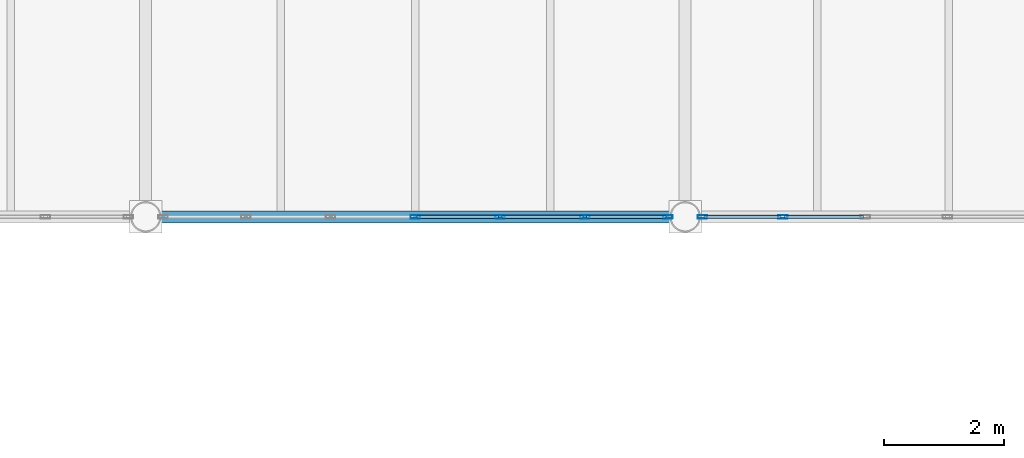
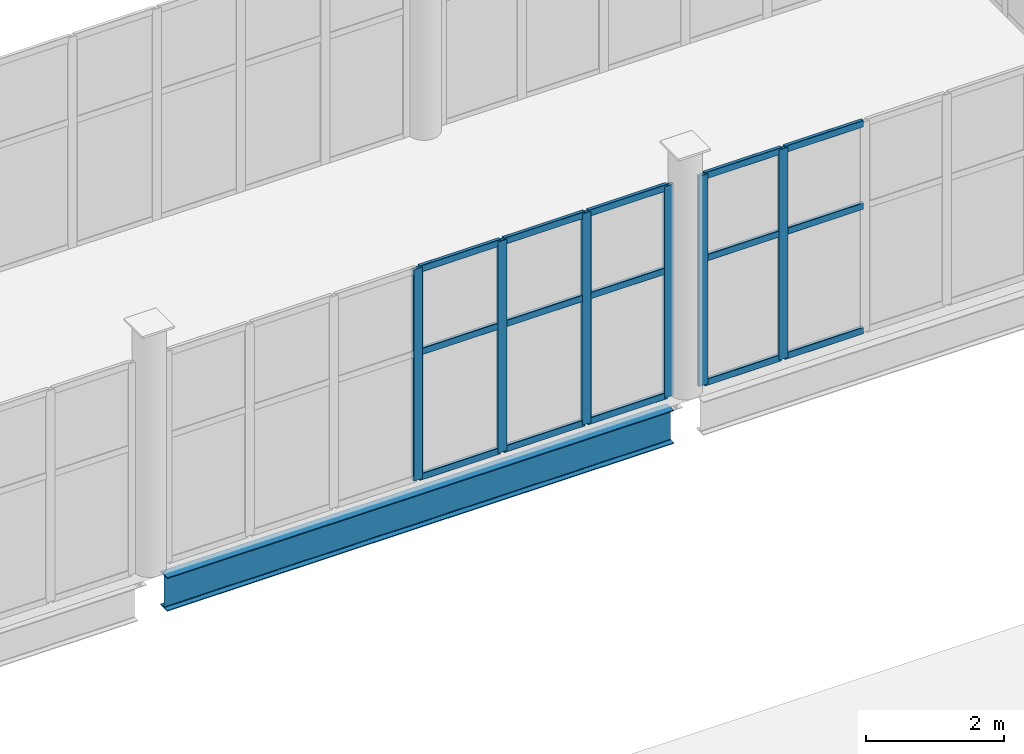
# One storey, part 84 of 136: 21 members, 1 beam, 2 elements without a shape of their own.
"""IFC4 building model written with IfcOpenShell, lengths in metres."""

from ifc_helpers import new_model, si_unit, direction, frame, origin, origin_2d, place, context, subcontext, project, spatial, hollow_rectangle, i_section, extrude, material, material_profile, profile_set, type_object, element, aggregate, save


model = new_model("IFC4")

# Units and contexts
model_context = context("Model", 3, precision=1e-05, world=origin(), true_north=direction((0.0, 1.0)))
body_context = subcontext(model_context, "Body", "Model", "MODEL_VIEW")
ifc_project = project(units=[si_unit("LENGTHUNIT", "METRE"), si_unit("AREAUNIT", "SQUARE_METRE"), si_unit("VOLUMEUNIT", "CUBIC_METRE"), si_unit("PLANEANGLEUNIT", "RADIAN"), si_unit("MASSUNIT", "GRAM", prefix="KILO")], contexts=[model_context])

# Site, building, storey
site_placement = place(None, origin())
site = spatial("IfcSite", under=ifc_project, at=site_placement, CompositionType="ELEMENT")
building_placement = place(site_placement, origin())
building = spatial("IfcBuilding", under=site, at=building_placement, Name="Shengluoqiao Park Theatre", CompositionType="ELEMENT")
storey_placement = place(building_placement, frame((0.0, 0.0, 10.0)))
storey = spatial("IfcBuildingStorey", under=building, at=storey_placement, Name="L02", CompositionType="ELEMENT", Elevation=10.0)

# Curtain wall, members
ifc_material_1 = material(Name="Aluminium 6063-T6", Category="aluminium")
curtain_wall_type = type_object("IfcCurtainWallType", Name="ENV-CW-BRIDGE", PredefinedType="NOTDEFINED", material=ifc_material_1)
curtain_wall_1_placement = place(storey_placement, origin())
curtain_wall_1 = element("IfcCurtainWall", 1, at=curtain_wall_1_placement, inside=storey, type_object=curtain_wall_type, Name="L02 Curtain Wall CWX-L02-0113", PredefinedType="NOTDEFINED")
ifc_material_profile_1 = material_profile(ifc_material_1, hollow_rectangle(XDim=0.06005859375, YDim=0.159912109375, WallThickness=0.00390625, InnerFilletRadius=0.00390625, OuterFilletRadius=0.008056640625, at=origin_2d()), Name="ALU MULLION 160x60x4")
ifc_profile_set_1 = profile_set([ifc_material_profile_1], Name="Aluminium 6063-T6")
member_type_1 = type_object("IfcMemberType", Name="ENV-MUL-160", PredefinedType="MULLION", material=ifc_profile_set_1)
member_1_placement = place(storey_placement, frame((143.89990234375, 68.39990234375, 0.0), z_axis=(0.0, 0.0, 1.0), x_axis=(0.0, 1.0, 0.0)))
member_1 = element("IfcMember", 2, at=member_1_placement, type_object=member_type_1, Name="CW-03 mullion 4", PredefinedType="MULLION", context=body_context, shape_type="SweptSolid", body=[
    extrude(hollow_rectangle(XDim=0.06005859375, YDim=0.159912109375, WallThickness=0.00390625, InnerFilletRadius=0.00390625, OuterFilletRadius=0.008056640625, at=origin_2d()), origin(), (0.0, 0.0, 1.0), 3.751953125),
])
member_2_placement = place(storey_placement, frame((145.31396484375, 68.39990234375, 0.0), z_axis=(0.0, 0.0, 1.0), x_axis=(0.0, 1.0, 0.0)))
member_2 = element("IfcMember", 3, at=member_2_placement, type_object=member_type_1, Name="CW-03 mullion 5", PredefinedType="MULLION", context=body_context, shape_type="SweptSolid", body=[
    extrude(hollow_rectangle(XDim=0.06005859375, YDim=0.159912109375, WallThickness=0.00390625, InnerFilletRadius=0.00390625, OuterFilletRadius=0.008056640625, at=origin_2d()), origin(), (0.0, 0.0, 1.0), 3.751953125),
])
member_3_placement = place(storey_placement, frame((146.72802734375, 68.39990234375, 0.0), z_axis=(0.0, 0.0, 1.0), x_axis=(0.0, 1.0, 0.0)))
member_3 = element("IfcMember", 4, at=member_3_placement, type_object=member_type_1, Name="CW-03 mullion 6", PredefinedType="MULLION", context=body_context, shape_type="SweptSolid", body=[
    extrude(hollow_rectangle(XDim=0.06005859375, YDim=0.159912109375, WallThickness=0.00390625, InnerFilletRadius=0.00390625, OuterFilletRadius=0.008056640625, at=origin_2d()), origin(), (0.0, 0.0, 1.0), 3.751953125),
])
member_4_placement = place(storey_placement, frame((148.112060546875, 68.39990234375, 0.0), z_axis=(0.0, 0.0, 1.0), x_axis=(0.0, 1.0, 0.0)))
member_4 = element("IfcMember", 5, at=member_4_placement, type_object=member_type_1, Name="CW-03 mullion 7", PredefinedType="MULLION", context=body_context, shape_type="SweptSolid", body=[
    extrude(hollow_rectangle(XDim=0.06005859375, YDim=0.159912109375, WallThickness=0.00390625, InnerFilletRadius=0.00390625, OuterFilletRadius=0.008056640625, at=origin_2d()), origin(), (0.0, 0.0, 1.0), 3.751953125),
])

curtain_wall_2_placement = place(storey_placement, origin())
curtain_wall_2 = element("IfcCurtainWall", 6, at=curtain_wall_2_placement, inside=storey, type_object=curtain_wall_type, Name="L02 Curtain Wall CWX-L02-0114", PredefinedType="NOTDEFINED")
member_5_placement = place(storey_placement, frame((148.68798828125, 68.39990234375, 0.0), z_axis=(0.0, 0.0, 1.0), x_axis=(0.0, 1.0, 0.0)))
member_5 = element("IfcMember", 7, at=member_5_placement, type_object=member_type_1, Name="CW-03 mullion 1", PredefinedType="MULLION", context=body_context, shape_type="SweptSolid", body=[
    extrude(hollow_rectangle(XDim=0.06005859375, YDim=0.159912109375, WallThickness=0.00390625, InnerFilletRadius=0.00390625, OuterFilletRadius=0.008056640625, at=origin_2d()), origin(), (0.0, 0.0, 1.0), 3.73193359375),
])
member_6_placement = place(storey_placement, frame((150.031005859375, 68.39990234375, 0.0), z_axis=(0.0, 0.0, 1.0), x_axis=(0.0, 1.0, 0.0)))
member_6 = element("IfcMember", 8, at=member_6_placement, type_object=member_type_1, Name="CW-03 mullion 2", PredefinedType="MULLION", context=body_context, shape_type="SweptSolid", body=[
    extrude(hollow_rectangle(XDim=0.06005859375, YDim=0.159912109375, WallThickness=0.00390625, InnerFilletRadius=0.00390625, OuterFilletRadius=0.008056640625, at=origin_2d()), origin(), (0.0, 0.0, 1.0), 3.73193359375),
])

# Member
ifc_material_profile_2 = material_profile(ifc_material_1, hollow_rectangle(XDim=0.06005859375, YDim=0.1201171875, WallThickness=0.00390625, InnerFilletRadius=0.00390625, OuterFilletRadius=0.008056640625, at=origin_2d()), Name="ALU TRANSOM 120x60x4")
ifc_profile_set_2 = profile_set([ifc_material_profile_2], Name="Aluminium 6063-T6")
member_type_2 = type_object("IfcMemberType", Name="ENV-TRN-120", PredefinedType="USERDEFINED", material=ifc_profile_set_2)
member_7_placement = place(storey_placement, frame((143.929931640625, 68.39990234375, 0.030029296875), z_axis=(1.0, 0.0, 0.0), x_axis=(0.0, 1.0, 0.0)))
member_7 = element("IfcMember", 9, at=member_7_placement, type_object=member_type_2, Name="CW-03 transom 4.1", ObjectType="TRANSOM", PredefinedType="USERDEFINED", context=body_context, shape_type="SweptSolid", body=[
    extrude(hollow_rectangle(XDim=0.06005859375, YDim=0.1201171875, WallThickness=0.00390625, InnerFilletRadius=0.00390625, OuterFilletRadius=0.008056640625, at=origin_2d()), origin(), (0.0, 0.0, 1.0), 1.35400390625),
])

member_8_placement = place(storey_placement, frame((143.929931640625, 68.39990234375, 2.2509765625), z_axis=(1.0, 0.0, 0.0), x_axis=(0.0, 1.0, 0.0)))
member_8 = element("IfcMember", 10, at=member_8_placement, type_object=member_type_2, Name="CW-03 transom 4.2", ObjectType="TRANSOM", PredefinedType="USERDEFINED", context=body_context, shape_type="SweptSolid", body=[
    extrude(hollow_rectangle(XDim=0.06005859375, YDim=0.1201171875, WallThickness=0.00390625, InnerFilletRadius=0.00390625, OuterFilletRadius=0.008056640625, at=origin_2d()), origin(), (0.0, 0.0, 1.0), 1.35400390625),
])

member_9_placement = place(storey_placement, frame((143.929931640625, 68.39990234375, 3.721923828125), z_axis=(1.0, 0.0, 0.0), x_axis=(0.0, 1.0, 0.0)))
member_9 = element("IfcMember", 11, at=member_9_placement, type_object=member_type_2, Name="CW-03 transom 4.3", ObjectType="TRANSOM", PredefinedType="USERDEFINED", context=body_context, shape_type="SweptSolid", body=[
    extrude(hollow_rectangle(XDim=0.06005859375, YDim=0.1201171875, WallThickness=0.00390625, InnerFilletRadius=0.00390625, OuterFilletRadius=0.008056640625, at=origin_2d()), origin(), (0.0, 0.0, 1.0), 1.35400390625),
])

member_10_placement = place(storey_placement, frame((145.343994140625, 68.39990234375, 0.030029296875), z_axis=(1.0, 0.0, 0.0), x_axis=(0.0, 1.0, 0.0)))
member_10 = element("IfcMember", 12, at=member_10_placement, type_object=member_type_2, Name="CW-03 transom 5.1", ObjectType="TRANSOM", PredefinedType="USERDEFINED", context=body_context, shape_type="SweptSolid", body=[
    extrude(hollow_rectangle(XDim=0.06005859375, YDim=0.1201171875, WallThickness=0.00390625, InnerFilletRadius=0.00390625, OuterFilletRadius=0.008056640625, at=origin_2d()), origin(), (0.0, 0.0, 1.0), 1.35400390625),
])

member_11_placement = place(storey_placement, frame((145.343994140625, 68.39990234375, 2.2509765625), z_axis=(1.0, 0.0, 0.0), x_axis=(0.0, 1.0, 0.0)))
member_11 = element("IfcMember", 13, at=member_11_placement, type_object=member_type_2, Name="CW-03 transom 5.2", ObjectType="TRANSOM", PredefinedType="USERDEFINED", context=body_context, shape_type="SweptSolid", body=[
    extrude(hollow_rectangle(XDim=0.06005859375, YDim=0.1201171875, WallThickness=0.00390625, InnerFilletRadius=0.00390625, OuterFilletRadius=0.008056640625, at=origin_2d()), origin(), (0.0, 0.0, 1.0), 1.35400390625),
])

member_12_placement = place(storey_placement, frame((145.343994140625, 68.39990234375, 3.721923828125), z_axis=(1.0, 0.0, 0.0), x_axis=(0.0, 1.0, 0.0)))
member_12 = element("IfcMember", 14, at=member_12_placement, type_object=member_type_2, Name="CW-03 transom 5.3", ObjectType="TRANSOM", PredefinedType="USERDEFINED", context=body_context, shape_type="SweptSolid", body=[
    extrude(hollow_rectangle(XDim=0.06005859375, YDim=0.1201171875, WallThickness=0.00390625, InnerFilletRadius=0.00390625, OuterFilletRadius=0.008056640625, at=origin_2d()), origin(), (0.0, 0.0, 1.0), 1.35400390625),
])

member_13_placement = place(storey_placement, frame((146.758056640625, 68.39990234375, 0.030029296875), z_axis=(1.0, 0.0, 0.0), x_axis=(0.0, 1.0, 0.0)))
member_13 = element("IfcMember", 15, at=member_13_placement, type_object=member_type_2, Name="CW-03 transom 6.1", ObjectType="TRANSOM", PredefinedType="USERDEFINED", context=body_context, shape_type="SweptSolid", body=[
    extrude(hollow_rectangle(XDim=0.06005859375, YDim=0.1201171875, WallThickness=0.00390625, InnerFilletRadius=0.00390625, OuterFilletRadius=0.008056640625, at=origin_2d()), origin(), (0.0, 0.0, 1.0), 1.323974609375),
])

member_14_placement = place(storey_placement, frame((146.758056640625, 68.39990234375, 2.2509765625), z_axis=(1.0, 0.0, 0.0), x_axis=(0.0, 1.0, 0.0)))
member_14 = element("IfcMember", 16, at=member_14_placement, type_object=member_type_2, Name="CW-03 transom 6.2", ObjectType="TRANSOM", PredefinedType="USERDEFINED", context=body_context, shape_type="SweptSolid", body=[
    extrude(hollow_rectangle(XDim=0.06005859375, YDim=0.1201171875, WallThickness=0.00390625, InnerFilletRadius=0.00390625, OuterFilletRadius=0.008056640625, at=origin_2d()), origin(), (0.0, 0.0, 1.0), 1.323974609375),
])

member_15_placement = place(storey_placement, frame((146.758056640625, 68.39990234375, 3.721923828125), z_axis=(1.0, 0.0, 0.0), x_axis=(0.0, 1.0, 0.0)))
member_15 = element("IfcMember", 17, at=member_15_placement, type_object=member_type_2, Name="CW-03 transom 6.3", ObjectType="TRANSOM", PredefinedType="USERDEFINED", context=body_context, shape_type="SweptSolid", body=[
    extrude(hollow_rectangle(XDim=0.06005859375, YDim=0.1201171875, WallThickness=0.00390625, InnerFilletRadius=0.00390625, OuterFilletRadius=0.008056640625, at=origin_2d()), origin(), (0.0, 0.0, 1.0), 1.323974609375),
])

aggregate(curtain_wall_1, [member_1, member_2, member_3, member_4, member_7, member_8, member_9, member_10, member_11, member_12, member_13, member_14, member_15])

member_16_placement = place(storey_placement, frame((148.718017578125, 68.39990234375, 0.030029296875), z_axis=(1.0, 0.0, 0.0), x_axis=(0.0, 1.0, 0.0)))
member_16 = element("IfcMember", 18, at=member_16_placement, type_object=member_type_2, Name="CW-03 transom 1.1", ObjectType="TRANSOM", PredefinedType="USERDEFINED", context=body_context, shape_type="SweptSolid", body=[
    extrude(hollow_rectangle(XDim=0.06005859375, YDim=0.1201171875, WallThickness=0.00390625, InnerFilletRadius=0.00390625, OuterFilletRadius=0.008056640625, at=origin_2d()), origin(), (0.0, 0.0, 1.0), 1.282958984375),
])

member_17_placement = place(storey_placement, frame((148.718017578125, 68.39990234375, 2.239013671875), z_axis=(1.0, 0.0, 0.0), x_axis=(0.0, 1.0, 0.0)))
member_17 = element("IfcMember", 19, at=member_17_placement, type_object=member_type_2, Name="CW-03 transom 1.2", ObjectType="TRANSOM", PredefinedType="USERDEFINED", context=body_context, shape_type="SweptSolid", body=[
    extrude(hollow_rectangle(XDim=0.06005859375, YDim=0.1201171875, WallThickness=0.00390625, InnerFilletRadius=0.00390625, OuterFilletRadius=0.008056640625, at=origin_2d()), origin(), (0.0, 0.0, 1.0), 1.282958984375),
])

member_18_placement = place(storey_placement, frame((148.718017578125, 68.39990234375, 3.701904296875), z_axis=(1.0, 0.0, 0.0), x_axis=(0.0, 1.0, 0.0)))
member_18 = element("IfcMember", 20, at=member_18_placement, type_object=member_type_2, Name="CW-03 transom 1.3", ObjectType="TRANSOM", PredefinedType="USERDEFINED", context=body_context, shape_type="SweptSolid", body=[
    extrude(hollow_rectangle(XDim=0.06005859375, YDim=0.1201171875, WallThickness=0.00390625, InnerFilletRadius=0.00390625, OuterFilletRadius=0.008056640625, at=origin_2d()), origin(), (0.0, 0.0, 1.0), 1.282958984375),
])

member_19_placement = place(storey_placement, frame((150.06103515625, 68.39990234375, 0.030029296875), z_axis=(1.0, 0.0, 0.0), x_axis=(0.0, 1.0, 0.0)))
member_19 = element("IfcMember", 21, at=member_19_placement, type_object=member_type_2, Name="CW-03 transom 2.1", ObjectType="TRANSOM", PredefinedType="USERDEFINED", context=body_context, shape_type="SweptSolid", body=[
    extrude(hollow_rectangle(XDim=0.06005859375, YDim=0.1201171875, WallThickness=0.00390625, InnerFilletRadius=0.00390625, OuterFilletRadius=0.008056640625, at=origin_2d()), origin(), (0.0, 0.0, 1.0), 1.31298828125),
])

member_20_placement = place(storey_placement, frame((150.06103515625, 68.39990234375, 2.239013671875), z_axis=(1.0, 0.0, 0.0), x_axis=(0.0, 1.0, 0.0)))
member_20 = element("IfcMember", 22, at=member_20_placement, type_object=member_type_2, Name="CW-03 transom 2.2", ObjectType="TRANSOM", PredefinedType="USERDEFINED", context=body_context, shape_type="SweptSolid", body=[
    extrude(hollow_rectangle(XDim=0.06005859375, YDim=0.1201171875, WallThickness=0.00390625, InnerFilletRadius=0.00390625, OuterFilletRadius=0.008056640625, at=origin_2d()), origin(), (0.0, 0.0, 1.0), 1.31298828125),
])

member_21_placement = place(storey_placement, frame((150.06103515625, 68.39990234375, 3.701904296875), z_axis=(1.0, 0.0, 0.0), x_axis=(0.0, 1.0, 0.0)))
member_21 = element("IfcMember", 23, at=member_21_placement, type_object=member_type_2, Name="CW-03 transom 2.3", ObjectType="TRANSOM", PredefinedType="USERDEFINED", context=body_context, shape_type="SweptSolid", body=[
    extrude(hollow_rectangle(XDim=0.06005859375, YDim=0.1201171875, WallThickness=0.00390625, InnerFilletRadius=0.00390625, OuterFilletRadius=0.008056640625, at=origin_2d()), origin(), (0.0, 0.0, 1.0), 1.31298828125),
])

aggregate(curtain_wall_2, [member_5, member_6, member_16, member_17, member_18, member_19, member_20, member_21])

# Beam
ifc_material_2 = material(Name="Steel Q355", Category="steel")
ifc_material_profile_3 = material_profile(ifc_material_2, i_section(OverallWidth=0.198974609375, OverallDepth=0.595947265625, WebThickness=0.010009765625, FlangeThickness=0.014892578125, FilletRadius=0.02001953125, at=origin_2d()), Name="HN 596x199x10x15")
ifc_profile_set_3 = profile_set([ifc_material_profile_3], Name="Steel Q355")
beam_type = type_object("IfcBeamType", Name="STR-BM-SP-HN596", PredefinedType="SPANDREL", material=ifc_profile_set_3)
beam_placement = place(storey_placement, frame((139.64794921875, 68.39990234375, -0.508056640625), z_axis=(1.0, 0.0, 0.0), x_axis=(0.0, 1.0, 0.0)))
element("IfcBeam", 24, at=beam_placement, inside=storey, type_object=beam_type, Name="L02 Primary Girder 01011", PredefinedType="SPANDREL", context=body_context, shape_type="SweptSolid", body=[
    extrude(i_section(OverallWidth=0.198974609375, OverallDepth=0.595947265625, WebThickness=0.010009765625, FlangeThickness=0.014892578125, FilletRadius=0.02001953125, at=origin_2d()), origin(), (0.0, 0.0, 1.0), 8.504150390625),
])

save(model, "model.ifc")
